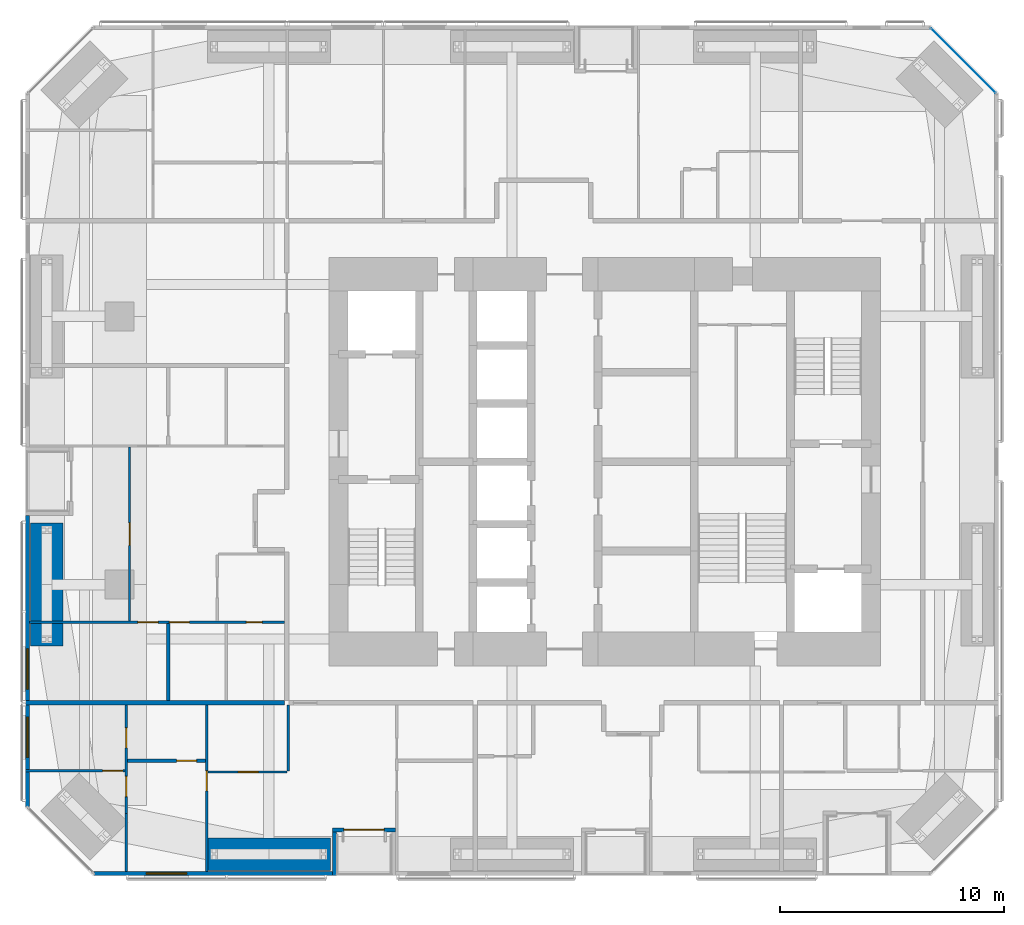
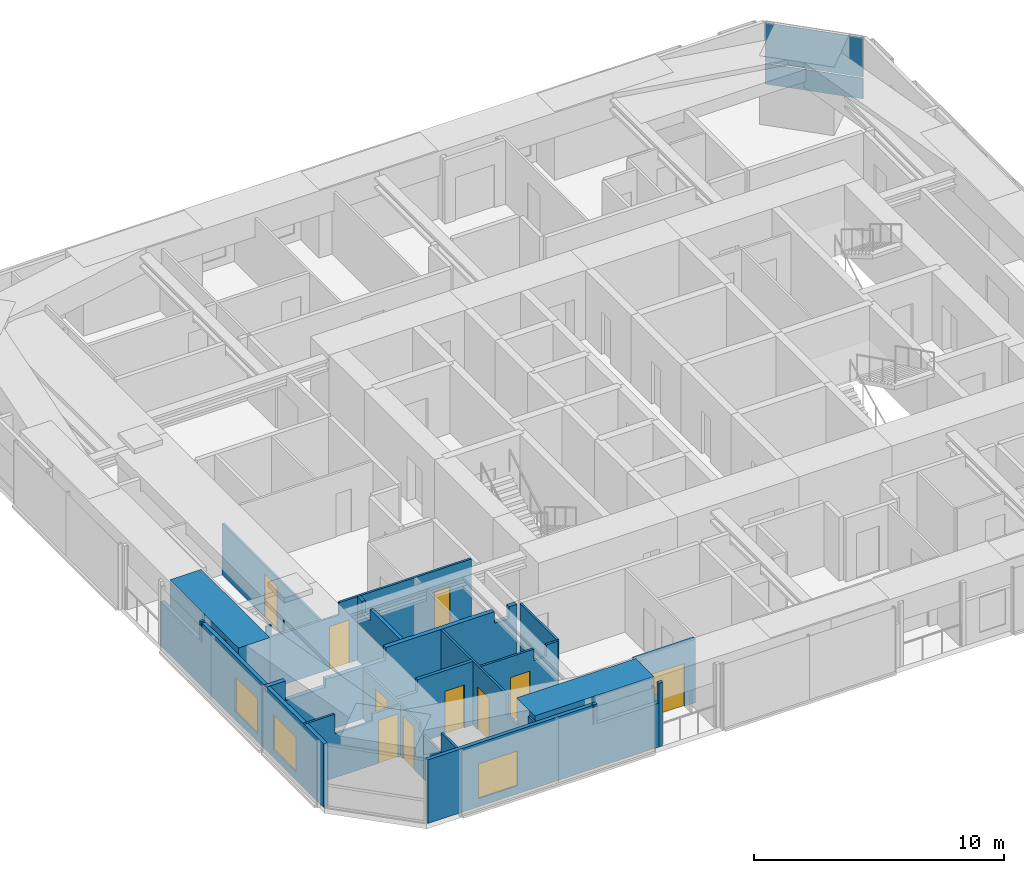
# One storey, part 16 of 23: 17 walls, 11 doors, 3 windows, 2 plates, 14 openings, 1 element without a shape of its own.
"""IFC4 building model written with IfcOpenShell, lengths in metres."""

from ifc_helpers import new_model, si_unit, direction, frame, frame_2d, origin, origin_2d, place, context, subcontext, project, spatial, polyline, rectangle, outline, extrude, material, layer, layer_set, constituent, constituent_set, type_object, element, fill, aggregate, save


model = new_model("IFC4")

# Units and contexts
model_context = context("Model", 3, precision=1e-05, world=origin(), true_north=direction((0.0, 1.0)))
body_context = subcontext(model_context, "Body", "Model", "MODEL_VIEW")
ifc_project = project(units=[si_unit("LENGTHUNIT", "METRE"), si_unit("AREAUNIT", "SQUARE_METRE"), si_unit("VOLUMEUNIT", "CUBIC_METRE"), si_unit("PLANEANGLEUNIT", "RADIAN"), si_unit("MASSUNIT", "GRAM", prefix="KILO")], contexts=[model_context])

# Site, building, storey
site_placement = place(None, origin())
site = spatial("IfcSite", under=ifc_project, at=site_placement, CompositionType="ELEMENT")
building_placement = place(site_placement, origin())
building = spatial("IfcBuilding", under=site, at=building_placement, Name="Jalousie Tower", CompositionType="ELEMENT")
storey_placement = place(building_placement, frame((0.0, 0.0, 108.199951171875)))
storey = spatial("IfcBuildingStorey", under=building, at=storey_placement, Name="L29", CompositionType="ELEMENT", Elevation=108.199951171875)

# Curtain wall, plates
ifc_material_1 = material(Name="Aluminium curtain wall", Category="aluminium")
curtain_wall_type = type_object("IfcCurtainWallType", Name="CORNER WINDOW WALL", PredefinedType="USERDEFINED", material=ifc_material_1)
curtain_wall_placement = place(storey_placement, origin())
curtain_wall = element("IfcCurtainWall", 1, at=curtain_wall_placement, inside=storey, type_object=curtain_wall_type, Name="Corner Window Wall L29 4", ObjectType="CORNER WINDOW WALL", PredefinedType="USERDEFINED")
ifc_material_2 = material(Name="Laminated impact-rated spandrel glass", Category="glass")
ifc_layer_1 = layer(ifc_material_2, 0.028076171875)
ifc_layer_set_1 = layer_set([ifc_layer_1], Name="Laminated impact-rated spandrel glass")
plate_type = type_object("IfcPlateType", Name="CORNER WINDOW WALL PANEL", PredefinedType="CURTAIN_PANEL", material=ifc_layer_set_1)
plate_1_placement = place(storey_placement, frame((47.9306640625, 36.4306640625, 0.06005859375), z_axis=(0.0, 0.0, 1.0), x_axis=(-0.707106781187, 0.707106781187, 0.0)))
plate_1 = element("IfcPlate", 2, at=plate_1_placement, type_object=plate_type, Name="CW-C panel 1.1", PredefinedType="CURTAIN_PANEL", context=body_context, shape_type="SweptSolid", body=[
    extrude(rectangle(XDim=4.071533203125, YDim=0.028076171875, at=origin_2d()), origin(), (0.0, 0.0, 1.0), 1.010009765625),
])
plate_2_placement = place(storey_placement, frame((47.9306640625, 36.4306640625, 1.130126953125), z_axis=(0.0, 0.0, 1.0), x_axis=(-0.707106781187, 0.707106781187, 0.0)))
plate_2 = element("IfcPlate", 3, at=plate_2_placement, type_object=plate_type, Name="CW-C panel 1.2", PredefinedType="CURTAIN_PANEL", context=body_context, shape_type="SweptSolid", body=[
    extrude(rectangle(XDim=4.071533203125, YDim=0.028076171875, at=origin_2d()), origin(), (0.0, 0.0, 1.0), 1.919921875),
])
aggregate(curtain_wall, [plate_1, plate_2])

# Wall, opening, door
ifc_material_3 = material(Name="Concrete block ASTM C90", Category="concrete")
ifc_constituent_1 = constituent(ifc_material_3, Name="Body")
ifc_material_4 = material(Name="Render")
ifc_constituent_2 = constituent(ifc_material_4, Name="Finish")
ifc_constituent_set_1 = constituent_set(constituents=[ifc_constituent_1, ifc_constituent_2])
wall_type_1 = type_object("IfcWallType", Name="BATHROOM WALL 150", PredefinedType="PLUMBINGWALL", material=ifc_constituent_set_1)
wall_1_placement = place(storey_placement, frame((10.550048828125, 5.125, 0.0), z_axis=(0.0, 0.0, 1.0), x_axis=(1.0, 0.0, 0.0)))
wall_1 = element("IfcWall", 4, at=wall_1_placement, inside=storey, type_object=wall_type_1, Name="Bathroom Wall 150 L29", PredefinedType="PLUMBINGWALL", context=body_context, shape_type="SweptSolid", body=[
    extrude(outline(polyline([(0.0, 0.0), (3.5, 0.0), (3.5, 3.110107421875), (0.93505859375, 3.110107421875), (0.93505859375, 2.510009765625), (0.0, 2.510009765625), (0.0, 3.110107421875), (0.0, 0.0)])), frame((0.0, 0.074951171875, 0.0), z_axis=(0.0, -1.0, 0.0), x_axis=(1.0, 0.0, 0.0)), (0.0, 0.0, 1.0), 0.14990234375),
])
opening_1_placement = place(wall_1_placement, frame((2.199951171875, 0.0, 0.0)))
opening_1 = element("IfcOpeningElement", 5, at=opening_1_placement, cuts=wall_1, Name="Opening D3", PredefinedType="OPENING", context=body_context, shape_type="SweptSolid", body=[
    extrude(rectangle(XDim=0.89990234375, YDim=2.10009765625, at=frame_2d((0.449951171875, 1.050048828125))), frame((0.0, 0.0849609375, 0.0), z_axis=(0.0, -1.0, 0.0), x_axis=(1.0, 0.0, 0.0)), (0.0, 0.0, 1.0), 0.169921875),
])
ifc_material_5 = material(Name="Timber door", Category="wood")
door_type_1 = type_object("IfcDoorType", Name="BATHROOM DOOR 900", OperationType="SINGLE_SWING_LEFT", PredefinedType="DOOR", material=ifc_material_5)
door_1_placement = place(opening_1_placement, origin())
door_1 = element("IfcDoor", 6, at=door_1_placement, inside=storey, type_object=door_type_1, Name="Apartment 2901 bedroom 2 bathroom door", OperationType="SINGLE_SWING_RIGHT", OverallHeight=2.10009765625, OverallWidth=0.89990234375, PredefinedType="DOOR", context=body_context, shape_type="SweptSolid", body=[
    extrude(rectangle(XDim=0.89990234375, YDim=2.10009765625, at=frame_2d((0.449951171875, 1.050048828125))), frame((0.0, 0.02490234375, 0.0), z_axis=(0.0, -1.0, 0.0), x_axis=(1.0, 0.0, 0.0)), (0.0, 0.0, 1.0), 0.050048828125),
])
fill(opening_1, door_1)

# Wall
wall_2_placement = place(storey_placement, frame((12.375, 7.824951171875, 0.0), z_axis=(0.0, 0.0, 1.0), x_axis=(0.0, 1.0, 0.0)))
element("IfcWall", 7, at=wall_2_placement, inside=storey, type_object=wall_type_1, Name="Bathroom Wall 150 L29", PredefinedType="PLUMBINGWALL", context=body_context, shape_type="SweptSolid", body=[
    extrude(outline(polyline([(0.0, 0.0), (3.449951171875, 0.0), (3.449951171875, 3.110107421875), (3.0625, 3.110107421875), (3.0625, 2.541015625), (2.4375, 2.541015625), (2.4375, 3.110107421875), (0.0, 3.110107421875), (0.0, 0.0)])), frame((0.0, 0.074951171875, 0.0), z_axis=(0.0, -1.0, 0.0), x_axis=(1.0, 0.0, 0.0)), (0.0, 0.0, 1.0), 0.14990234375),
])

# Wall, opening, window
ifc_material_6 = material(Name="Concrete f'c 40 MPa", Category="concrete")
ifc_constituent_3 = constituent(ifc_material_6, Name="Body")
ifc_material_7 = material(Name="Render, pastel sea green")
ifc_constituent_4 = constituent(ifc_material_7, Name="Finish")
ifc_constituent_set_2 = constituent_set(constituents=[ifc_constituent_3, ifc_constituent_4])
wall_type_2 = type_object("IfcWallType", Name="EXTERNAL WALL 175 SEA GREEN RENDER", PredefinedType="SOLIDWALL", material=ifc_constituent_set_2)
wall_3_placement = place(storey_placement, frame((9.05126953125, 0.08740234375, 0.0), z_axis=(0.0, 0.0, 1.0), x_axis=(1.0, 0.0, 0.0)))
wall_3 = element("IfcWall", 8, at=wall_3_placement, inside=storey, type_object=wall_type_2, Name="External Wall 175 Sea Green Render L29", PredefinedType="SOLIDWALL", context=body_context, shape_type="SweptSolid", body=[
    extrude(outline(polyline([(0.0, 0.0), (10.673828125, 0.0), (10.673583984375, 2.150146484375), (7.82373046875, 2.150146484375), (7.82373046875, 3.110107421875), (7.66552734375, 3.110107421875), (7.66552734375, 2.150146484375), (7.620361328125, 2.150146484375), (7.620361328125, 3.110107421875), (0.0, 3.110107421875), (0.0, 0.0)])), frame((0.0, 0.08740234375, 0.0), z_axis=(0.0, -1.0, 0.0), x_axis=(1.0, 0.0, 0.0)), (0.0, 0.0, 1.0), 0.175048828125),
])
opening_2_placement = place(wall_3_placement, frame((2.3486328125, 0.0, 0.39990234375)))
opening_2 = element("IfcOpeningElement", 9, at=opening_2_placement, cuts=wall_3, Name="Opening W-BED170", PredefinedType="OPENING", context=body_context, shape_type="SweptSolid", body=[
    extrude(rectangle(XDim=1.800048828125, YDim=1.699951171875, at=frame_2d((0.89990234375, 0.85009765625))), frame((0.0, 0.097412109375, 0.0), z_axis=(0.0, -1.0, 0.0), x_axis=(1.0, 0.0, 0.0)), (0.0, 0.0, 1.0), 0.195068359375),
])
ifc_material_8 = material(Name="Aluminium frame, impact-rated glazing", Category="aluminium")
window_type = type_object("IfcWindowType", Name="WINDOW BED 1800x1700", PartitioningType="SINGLE_PANEL", PredefinedType="WINDOW", material=ifc_material_8)
window_1_placement = place(opening_2_placement, origin())
window_1 = element("IfcWindow", 10, at=window_1_placement, inside=storey, type_object=window_type, Name="Apartment 2901 bedroom 2 window", OverallHeight=1.699951171875, OverallWidth=1.800048828125, PartitioningType="SINGLE_PANEL", PredefinedType="WINDOW", context=body_context, shape_type="SweptSolid", body=[
    extrude(rectangle(XDim=1.800048828125, YDim=1.699951171875, at=frame_2d((0.89990234375, 0.85009765625))), frame((0.0, 0.030029296875, 0.0), z_axis=(0.0, -1.0, 0.0), x_axis=(1.0, 0.0, 0.0)), (0.0, 0.0, 1.0), 0.06005859375),
])
fill(opening_2, window_1)

# Wall, opening, door
wall_4_placement = place(storey_placement, frame((19.72509765625, 2.03759765625, 0.0), z_axis=(0.0, 0.0, 1.0), x_axis=(1.0, 0.0, 0.0)))
wall_4 = element("IfcWall", 11, at=wall_4_placement, inside=storey, type_object=wall_type_2, Name="External Wall 175 Sea Green Render L29", PredefinedType="SOLIDWALL", context=body_context, shape_type="SweptSolid", body=[
    extrude(rectangle(XDim=2.824951171875, YDim=0.175048828125, at=frame_2d((1.41259765625, 0.0))), origin(), (0.0, 0.0, 1.0), 3.110107421875),
])
opening_3_placement = place(wall_4_placement, frame((0.512451171875, 0.0, 0.0)))
opening_3 = element("IfcOpeningElement", 12, at=opening_3_placement, cuts=wall_4, Name="Opening D-BAL21", PredefinedType="OPENING", context=body_context, shape_type="SweptSolid", body=[
    extrude(rectangle(XDim=1.800048828125, YDim=2.10009765625, at=frame_2d((0.89990234375, 1.050048828125))), frame((0.0, 0.097412109375, 0.0), z_axis=(0.0, -1.0, 0.0), x_axis=(1.0, 0.0, 0.0)), (0.0, 0.0, 1.0), 0.195068359375),
])
ifc_material_9 = material(Name="Aluminium frame, impact-rated glazing", Category="aluminium")
door_type_2 = type_object("IfcDoorType", Name="BALCONY DOOR 1800x2100", OperationType="SLIDING_TO_LEFT", PredefinedType="DOOR", material=ifc_material_9)
door_2_placement = place(opening_3_placement, origin())
door_2 = element("IfcDoor", 13, at=door_2_placement, inside=storey, type_object=door_type_2, Name="Apartment 2901 living and dining room loggia door", OperationType="SLIDING_TO_LEFT", OverallHeight=2.10009765625, OverallWidth=1.800048828125, PredefinedType="DOOR", context=body_context, shape_type="SweptSolid", body=[
    extrude(rectangle(XDim=1.800048828125, YDim=2.10009765625, at=frame_2d((0.89990234375, 1.050048828125))), frame((0.0, 0.02490234375, 0.0), z_axis=(0.0, -1.0, 0.0), x_axis=(1.0, 0.0, 0.0)), (0.0, 0.0, 1.0), 0.050048828125),
])
fill(opening_3, door_2)

# Wall
wall_5_placement = place(storey_placement, frame((19.8125, 0.0, 0.0), z_axis=(0.0, 0.0, 1.0), x_axis=(0.0, 1.0, 0.0)))
element("IfcWall", 14, at=wall_5_placement, inside=storey, type_object=wall_type_2, Name="External Wall 175 Sea Green Render L29", PredefinedType="SOLIDWALL", context=body_context, shape_type="SweptSolid", body=[
    extrude(outline(polyline([(0.0, 0.0), (1.949951171875, 0.0), (1.949951171875, 3.110107421875), (1.75, 3.110107421875), (1.75, 2.150146484375), (0.14990234375, 2.150146484375), (0.14990234375, 3.110107421875), (0.0, 3.110107421875), (0.0, 0.0)])), frame((0.0, 0.08740234375, 0.0), z_axis=(0.0, -1.0, 0.0), x_axis=(1.0, 0.0, 0.0)), (0.0, 0.0, 1.0), 0.175048828125),
])

# Wall, openings, windows
wall_6_placement = place(storey_placement, frame((6.08740234375, 16.10009765625, 0.0), z_axis=(0.0, 0.0, 1.0), x_axis=(0.0, -1.0, 0.0)))
wall_6 = element("IfcWall", 15, at=wall_6_placement, inside=storey, type_object=wall_type_2, Name="External Wall 175 Sea Green Render L29", PredefinedType="SOLIDWALL", context=body_context, shape_type="SweptSolid", body=[
    extrude(outline(polyline([(0.0, 0.0), (13.048828125, 0.0), (13.048583984375, 3.110107421875), (3.318603515625, 3.110107421875), (3.318603515625, 2.150146484375), (3.2255859375, 2.150146484375), (3.2255859375, 3.110107421875), (3.10009765625, 3.110107421875), (3.10009765625, 2.150146484375), (0.0, 2.150146484375), (0.0, 0.0)])), frame((0.0, 0.08740234375, 0.0), z_axis=(0.0, -1.0, 0.0), x_axis=(1.0, 0.0, 0.0)), (0.0, 0.0, 1.0), 0.175048828125),
])
opening_4_placement = place(wall_6_placement, frame((5.97509765625, 0.0, 0.39990234375)))
opening_4 = element("IfcOpeningElement", 16, at=opening_4_placement, cuts=wall_6, Name="Opening W-BED170", PredefinedType="OPENING", context=body_context, shape_type="SweptSolid", body=[
    extrude(rectangle(XDim=1.800048828125, YDim=1.699951171875, at=frame_2d((0.89990234375, 0.85009765625))), frame((0.0, 0.097412109375, 0.0), z_axis=(0.0, -1.0, 0.0), x_axis=(1.0, 0.0, 0.0)), (0.0, 0.0, 1.0), 0.195068359375),
])
opening_5_placement = place(wall_6_placement, frame((9.024658203125, 0.0, 0.39990234375)))
opening_5 = element("IfcOpeningElement", 17, at=opening_5_placement, cuts=wall_6, Name="Opening W-BED170", PredefinedType="OPENING", context=body_context, shape_type="SweptSolid", body=[
    extrude(rectangle(XDim=1.800048828125, YDim=1.699951171875, at=frame_2d((0.89990234375, 0.85009765625))), frame((0.0, 0.097412109375, 0.0), z_axis=(0.0, -1.0, 0.0), x_axis=(1.0, 0.0, 0.0)), (0.0, 0.0, 1.0), 0.195068359375),
])
window_2_placement = place(opening_4_placement, origin())
window_2 = element("IfcWindow", 18, at=window_2_placement, inside=storey, type_object=window_type, Name="Apartment 2905 bedroom 1 window", OverallHeight=1.699951171875, OverallWidth=1.800048828125, PartitioningType="SINGLE_PANEL", PredefinedType="WINDOW", context=body_context, shape_type="SweptSolid", body=[
    extrude(rectangle(XDim=1.800048828125, YDim=1.699951171875, at=frame_2d((0.89990234375, 0.85009765625))), frame((0.0, 0.030029296875, 0.0), z_axis=(0.0, -1.0, 0.0), x_axis=(1.0, 0.0, 0.0)), (0.0, 0.0, 1.0), 0.06005859375),
])
fill(opening_4, window_2)
window_3_placement = place(opening_5_placement, origin())
window_3 = element("IfcWindow", 19, at=window_3_placement, inside=storey, type_object=window_type, Name="Apartment 2901 bedroom 1 window", OverallHeight=1.699951171875, OverallWidth=1.800048828125, PartitioningType="SINGLE_PANEL", PredefinedType="WINDOW", context=body_context, shape_type="SweptSolid", body=[
    extrude(rectangle(XDim=1.800048828125, YDim=1.699951171875, at=frame_2d((0.89990234375, 0.85009765625))), frame((0.0, 0.030029296875, 0.0), z_axis=(0.0, -1.0, 0.0), x_axis=(1.0, 0.0, 0.0)), (0.0, 0.0, 1.0), 0.06005859375),
])
fill(opening_5, window_3)

# Wall
ifc_material_10 = material(Name="Gypsum board", Category="gypsum")
ifc_constituent_5 = constituent(ifc_material_10, Name="Body")
ifc_material_11 = material(Name="Light-gauge steel studs ASTM A653 SS Grade 33", Category="steel")
ifc_constituent_6 = constituent(ifc_material_11, Name="Framing")
ifc_constituent_set_3 = constituent_set(constituents=[ifc_constituent_5, ifc_constituent_6])
wall_type_3 = type_object("IfcWallType", Name="PARTITION 100", PredefinedType="PARTITIONING", material=ifc_constituent_set_3)
wall_7_placement = place(storey_placement, frame((10.5, 0.175048828125, 0.0), z_axis=(0.0, 0.0, 1.0), x_axis=(0.0, 1.0, 0.0)))
element("IfcWall", 20, at=wall_7_placement, inside=storey, type_object=wall_type_3, Name="Partition 100 L29-A", PredefinedType="PARTITIONING", context=body_context, shape_type="SweptSolid", body=[
    extrude(outline(polyline([(0.0, 0.0), (2.5849609375, 0.0), (2.5849609375, 2.150146484375), (1.197509765625, 2.150146484375), (1.197509765625, 3.110107421875), (0.0, 3.110107421875), (0.0, 0.0)])), frame((0.0, 0.050048828125, 0.0), z_axis=(0.0, -1.0, 0.0), x_axis=(1.0, 0.0, 0.0)), (0.0, 0.0, 1.0), 0.10009765625),
])

# Wall, openings, doors
wall_8_placement = place(storey_placement, frame((10.5, 2.760009765625, 0.0), z_axis=(0.0, 0.0, 1.0), x_axis=(0.0, 1.0, 0.0)))
wall_8 = element("IfcWall", 21, at=wall_8_placement, inside=storey, type_object=wall_type_3, Name="Partition 100 L29-B", PredefinedType="PARTITIONING", context=body_context, shape_type="SweptSolid", body=[
    extrude(outline(polyline([(0.0, 0.0), (4.864990234375, 0.0), (4.864990234375, 2.510009765625), (0.3681640625, 2.510009765625), (0.3681640625, 2.150146484375), (0.0, 2.150146484375), (0.0, 0.0)])), frame((0.0, 0.050048828125, 0.0), z_axis=(0.0, -1.0, 0.0), x_axis=(1.0, 0.0, 0.0)), (0.0, 0.0, 1.0), 0.10009765625),
])
opening_6_placement = place(wall_8_placement, frame((0.76611328125, 0.0, 0.0)))
opening_6 = element("IfcOpeningElement", 22, at=opening_6_placement, cuts=wall_8, Name="Opening D2", PredefinedType="OPENING", context=body_context, shape_type="SweptSolid", body=[
    extrude(rectangle(XDim=0.89990234375, YDim=2.10009765625, at=frame_2d((0.449951171875, 1.050048828125))), frame((0.0, 0.06005859375, 0.0), z_axis=(0.0, -1.0, 0.0), x_axis=(1.0, 0.0, 0.0)), (0.0, 0.0, 1.0), 0.1201171875),
])
opening_7_placement = place(wall_8_placement, frame((2.940673828125, 0.0, 0.0)))
opening_7 = element("IfcOpeningElement", 23, at=opening_7_placement, cuts=wall_8, Name="Opening D3", PredefinedType="OPENING", context=body_context, shape_type="SweptSolid", body=[
    extrude(rectangle(XDim=0.89990234375, YDim=2.10009765625, at=frame_2d((0.449951171875, 1.050048828125))), frame((0.0, 0.06005859375, 0.0), z_axis=(0.0, -1.0, 0.0), x_axis=(1.0, 0.0, 0.0)), (0.0, 0.0, 1.0), 0.1201171875),
])
door_3_placement = place(opening_7_placement, frame((0.89990234375, 0.0, 0.0), z_axis=(0.0, 0.0, 1.0), x_axis=(-1.0, 0.0, 0.0)))
door_3 = element("IfcDoor", 24, at=door_3_placement, inside=storey, type_object=door_type_1, Name="Apartment 2901 bedroom 1 bathroom door", OperationType="SINGLE_SWING_RIGHT", OverallHeight=2.10009765625, OverallWidth=0.89990234375, PredefinedType="DOOR", context=body_context, shape_type="SweptSolid", body=[
    extrude(rectangle(XDim=0.89990234375, YDim=2.10009765625, at=frame_2d((0.449951171875, 1.050048828125))), frame((0.0, 0.02490234375, 0.0), z_axis=(0.0, -1.0, 0.0), x_axis=(1.0, 0.0, 0.0)), (0.0, 0.0, 1.0), 0.050048828125),
])
fill(opening_7, door_3)
ifc_material_12 = material(Name="Timber door", Category="wood")
door_type_3 = type_object("IfcDoorType", Name="BEDROOM DOOR 900", OperationType="SINGLE_SWING_LEFT", PredefinedType="DOOR", material=ifc_material_12)
door_4_placement = place(opening_6_placement, frame((0.89990234375, 0.0, 0.0), z_axis=(0.0, 0.0, 1.0), x_axis=(-1.0, 0.0, 0.0)))
door_4 = element("IfcDoor", 25, at=door_4_placement, inside=storey, type_object=door_type_3, Name="Apartment 2901 bedroom 1 door", OperationType="SINGLE_SWING_LEFT", OverallHeight=2.10009765625, OverallWidth=0.89990234375, PredefinedType="DOOR", context=body_context, shape_type="SweptSolid", body=[
    extrude(rectangle(XDim=0.89990234375, YDim=2.10009765625, at=frame_2d((0.449951171875, 1.050048828125))), frame((0.0, 0.02490234375, 0.0), z_axis=(0.0, -1.0, 0.0), x_axis=(1.0, 0.0, 0.0)), (0.0, 0.0, 1.0), 0.050048828125),
])
fill(opening_6, door_4)

# Wall, opening, door
wall_9_placement = place(storey_placement, frame((14.10009765625, 0.175048828125, 0.0), z_axis=(0.0, 0.0, 1.0), x_axis=(0.0, 1.0, 0.0)))
wall_9 = element("IfcWall", 26, at=wall_9_placement, inside=storey, type_object=wall_type_3, Name="Partition 100 L29", PredefinedType="PARTITIONING", context=body_context, shape_type="SweptSolid", body=[
    extrude(outline(polyline([(0.0, 0.0), (7.449951171875, 0.0), (7.449951171875, 3.110107421875), (2.21875, 3.110107421875), (2.21875, 2.150146484375), (0.46337890625, 2.150146484375), (0.46337890625, 3.110107421875), (0.0, 3.110107421875), (0.0, 0.0)])), frame((0.0, 0.050048828125, 0.0), z_axis=(0.0, -1.0, 0.0), x_axis=(1.0, 0.0, 0.0)), (0.0, 0.0, 1.0), 0.10009765625),
])
opening_8_placement = place(wall_9_placement, frame((3.60009765625, 0.0, 0.0)))
opening_8 = element("IfcOpeningElement", 27, at=opening_8_placement, cuts=wall_9, Name="Opening D2", PredefinedType="OPENING", context=body_context, shape_type="SweptSolid", body=[
    extrude(rectangle(XDim=0.89990234375, YDim=2.10009765625, at=frame_2d((0.449951171875, 1.050048828125))), frame((0.0, 0.06005859375, 0.0), z_axis=(0.0, -1.0, 0.0), x_axis=(1.0, 0.0, 0.0)), (0.0, 0.0, 1.0), 0.1201171875),
])
door_5_placement = place(opening_8_placement, origin())
door_5 = element("IfcDoor", 28, at=door_5_placement, inside=storey, type_object=door_type_3, Name="Apartment 2901 bedroom 2 door", OperationType="SINGLE_SWING_RIGHT", OverallHeight=2.10009765625, OverallWidth=0.89990234375, PredefinedType="DOOR", context=body_context, shape_type="SweptSolid", body=[
    extrude(rectangle(XDim=0.89990234375, YDim=2.10009765625, at=frame_2d((0.449951171875, 1.050048828125))), frame((0.0, 0.02490234375, 0.0), z_axis=(0.0, -1.0, 0.0), x_axis=(1.0, 0.0, 0.0)), (0.0, 0.0, 1.0), 0.050048828125),
])
fill(opening_8, door_5)

wall_10_placement = place(storey_placement, frame((6.0, 4.67578125, 0.0), z_axis=(0.0, 0.0, 1.0), x_axis=(1.0, 0.0, 0.0)))
wall_10 = element("IfcWall", 29, at=wall_10_placement, inside=storey, type_object=wall_type_3, Name="Partition 100 L29", PredefinedType="PARTITIONING", context=body_context, shape_type="SweptSolid", body=[
    extrude(outline(polyline([(0.0, 0.0), (4.449951171875, 0.0), (4.449951171875, 3.110107421875), (4.449951171875, 2.510009765625), (3.171142578125, 2.510009765625), (3.171142578125, 2.150146484375), (1.4287109375, 2.150146484375), (1.4287109375, 3.110107421875), (0.0, 3.110107421875), (0.0, 0.0)])), frame((0.0, 0.050048828125, 0.0), z_axis=(0.0, -1.0, 0.0), x_axis=(1.0, 0.0, 0.0)), (0.0, 0.0, 1.0), 0.10009765625),
])
opening_9_placement = place(wall_10_placement, frame((3.449951171875, 0.0, 0.0)))
opening_9 = element("IfcOpeningElement", 30, at=opening_9_placement, cuts=wall_10, Name="Opening D7", PredefinedType="OPENING", context=body_context, shape_type="SweptSolid", body=[
    extrude(rectangle(XDim=0.89990234375, YDim=2.10009765625, at=frame_2d((0.449951171875, 1.050048828125))), frame((0.0, 0.06005859375, 0.0), z_axis=(0.0, -1.0, 0.0), x_axis=(1.0, 0.0, 0.0)), (0.0, 0.0, 1.0), 0.1201171875),
])
ifc_material_13 = material(Name="Timber door", Category="wood")
door_type_4 = type_object("IfcDoorType", Name="INTERNAL DOOR 900", OperationType="SINGLE_SWING_LEFT", PredefinedType="DOOR", material=ifc_material_13)
door_6_placement = place(opening_9_placement, origin())
door_6 = element("IfcDoor", 31, at=door_6_placement, inside=storey, type_object=door_type_4, Name="Apartment 2901 bedroom 1 dressing hall door", OperationType="SINGLE_SWING_RIGHT", OverallHeight=2.10009765625, OverallWidth=0.89990234375, PredefinedType="DOOR", context=body_context, shape_type="SweptSolid", body=[
    extrude(rectangle(XDim=0.89990234375, YDim=2.10009765625, at=frame_2d((0.449951171875, 1.050048828125))), frame((0.0, 0.02490234375, 0.0), z_axis=(0.0, -1.0, 0.0), x_axis=(1.0, 0.0, 0.0)), (0.0, 0.0, 1.0), 0.050048828125),
])
fill(opening_9, door_6)

wall_11_placement = place(storey_placement, frame((14.14990234375, 4.625, 0.0), z_axis=(0.0, 0.0, 1.0), x_axis=(1.0, 0.0, 0.0)))
wall_11 = element("IfcWall", 32, at=wall_11_placement, inside=storey, type_object=wall_type_3, Name="Partition 100 L29", PredefinedType="PARTITIONING", context=body_context, shape_type="SweptSolid", body=[
    extrude(outline(polyline([(0.0, 0.0), (3.550048828125, 0.0), (3.550048828125, 3.110107421875), (3.01220703125, 3.110107421875), (3.01220703125, 2.541015625), (2.4375, 2.541015625), (2.4375, 3.110107421875), (0.0, 3.110107421875), (0.0, 0.0)])), frame((0.0, 0.050048828125, 0.0), z_axis=(0.0, -1.0, 0.0), x_axis=(1.0, 0.0, 0.0)), (0.0, 0.0, 1.0), 0.10009765625),
])
opening_10_placement = place(wall_11_placement, frame((1.35009765625, 0.0, 0.0)))
opening_10 = element("IfcOpeningElement", 33, at=opening_10_placement, cuts=wall_11, Name="Opening D7", PredefinedType="OPENING", context=body_context, shape_type="SweptSolid", body=[
    extrude(rectangle(XDim=0.89990234375, YDim=2.10009765625, at=frame_2d((0.449951171875, 1.050048828125))), frame((0.0, 0.06005859375, 0.0), z_axis=(0.0, -1.0, 0.0), x_axis=(1.0, 0.0, 0.0)), (0.0, 0.0, 1.0), 0.1201171875),
])
door_7_placement = place(opening_10_placement, frame((0.89990234375, 0.0, 0.0), z_axis=(0.0, 0.0, 1.0), x_axis=(-1.0, 0.0, 0.0)))
door_7 = element("IfcDoor", 34, at=door_7_placement, inside=storey, type_object=door_type_4, Name="Apartment 2901 kitchen door", OperationType="SINGLE_SWING_RIGHT", OverallHeight=2.10009765625, OverallWidth=0.89990234375, PredefinedType="DOOR", context=body_context, shape_type="SweptSolid", body=[
    extrude(rectangle(XDim=0.89990234375, YDim=2.10009765625, at=frame_2d((0.449951171875, 1.050048828125))), frame((0.0, 0.02490234375, 0.0), z_axis=(0.0, -1.0, 0.0), x_axis=(1.0, 0.0, 0.0)), (0.0, 0.0, 1.0), 0.050048828125),
])
fill(opening_10, door_7)

# Wall
wall_12_placement = place(storey_placement, frame((17.75, 4.675048828125, 0.0), z_axis=(0.0, 0.0, 1.0), x_axis=(0.0, 1.0, 0.0)))
element("IfcWall", 35, at=wall_12_placement, inside=storey, type_object=wall_type_3, Name="Partition 100 L29", PredefinedType="PARTITIONING", context=body_context, shape_type="SweptSolid", body=[
    extrude(rectangle(XDim=2.949951171875, YDim=0.10009765625, at=frame_2d((1.47509765625, 0.0))), origin(), (0.0, 0.0, 1.0), 3.110107421875),
])

# Wall, openings, doors
wall_13_placement = place(storey_placement, frame((6.175048828125, 11.324951171875, 0.0), z_axis=(0.0, 0.0, 1.0), x_axis=(1.0, 0.0, 0.0)))
wall_13 = element("IfcWall", 36, at=wall_13_placement, inside=storey, type_object=wall_type_3, Name="Partition 100 L29", PredefinedType="PARTITIONING", context=body_context, shape_type="SweptSolid", body=[
    extrude(outline(polyline([(0.17529296875, 3.110107421875), (0.0, 3.110107421875), (0.0, 0.0), (0.52880859375, 0.0), (0.52880859375, 0.324951171875), (1.021240234375, 0.324951171875), (1.021240234375, 0.0), (11.39990234375, 0.0), (11.39990234375, 3.110107421875), (5.284912109375, 3.110107421875), (5.284912109375, 2.510009765625), (2.764892578125, 2.510009765625), (2.764892578125, 3.110107421875), (2.74365234375, 3.110107421875), (2.74365234375, 2.541015625), (2.1689453125, 2.541015625), (2.1689453125, 3.110107421875), (1.91796875, 3.110107421875), (1.91796875, 2.150146484375), (1.021240234375, 2.150146484375), (1.021240234375, 1.8251953125), (0.52880859375, 1.8251953125), (0.52880859375, 2.150146484375), (0.17529296875, 2.150146484375), (0.17529296875, 3.110107421875)])), frame((0.0, 0.050048828125, 0.0), z_axis=(0.0, -1.0, 0.0), x_axis=(1.0, 0.0, 0.0)), (0.0, 0.0, 1.0), 0.10009765625),
])
opening_11_placement = place(wall_13_placement, frame((4.85009765625, 0.0, 0.0)))
opening_11 = element("IfcOpeningElement", 37, at=opening_11_placement, cuts=wall_13, Name="Opening D2", PredefinedType="OPENING", context=body_context, shape_type="SweptSolid", body=[
    extrude(rectangle(XDim=0.89990234375, YDim=2.10009765625, at=frame_2d((0.449951171875, 1.050048828125))), frame((0.0, 0.06005859375, 0.0), z_axis=(0.0, -1.0, 0.0), x_axis=(1.0, 0.0, 0.0)), (0.0, 0.0, 1.0), 0.1201171875),
])
opening_12_placement = place(wall_13_placement, frame((6.25, 0.0, 0.0)))
opening_12 = element("IfcOpeningElement", 38, at=opening_12_placement, cuts=wall_13, Name="Opening D7", PredefinedType="OPENING", context=body_context, shape_type="SweptSolid", body=[
    extrude(rectangle(XDim=0.89990234375, YDim=2.10009765625, at=frame_2d((0.449951171875, 1.050048828125))), frame((0.0, 0.06005859375, 0.0), z_axis=(0.0, -1.0, 0.0), x_axis=(1.0, 0.0, 0.0)), (0.0, 0.0, 1.0), 0.1201171875),
])
opening_13_placement = place(wall_13_placement, frame((9.699951171875, 0.0, 0.0)))
opening_13 = element("IfcOpeningElement", 39, at=opening_13_placement, cuts=wall_13, Name="Opening D4", PredefinedType="OPENING", context=body_context, shape_type="SweptSolid", body=[
    extrude(rectangle(XDim=0.699951171875, YDim=2.10009765625, at=frame_2d((0.35009765625, 1.050048828125))), frame((0.0, 0.06005859375, 0.0), z_axis=(0.0, -1.0, 0.0), x_axis=(1.0, 0.0, 0.0)), (0.0, 0.0, 1.0), 0.1201171875),
])
door_8_placement = place(opening_11_placement, frame((0.89990234375, 0.0, 0.0), z_axis=(0.0, 0.0, 1.0), x_axis=(-1.0, 0.0, 0.0)))
door_8 = element("IfcDoor", 40, at=door_8_placement, inside=storey, type_object=door_type_3, Name="Apartment 2905 bedroom 1 door", OperationType="SINGLE_SWING_LEFT", OverallHeight=2.10009765625, OverallWidth=0.89990234375, PredefinedType="DOOR", context=body_context, shape_type="SweptSolid", body=[
    extrude(rectangle(XDim=0.89990234375, YDim=2.10009765625, at=frame_2d((0.449951171875, 1.050048828125))), frame((0.0, 0.02490234375, 0.0), z_axis=(0.0, -1.0, 0.0), x_axis=(1.0, 0.0, 0.0)), (0.0, 0.0, 1.0), 0.050048828125),
])
fill(opening_11, door_8)
door_9_placement = place(opening_12_placement, frame((0.89990234375, 0.0, 0.0), z_axis=(0.0, 0.0, 1.0), x_axis=(-1.0, 0.0, 0.0)))
door_9 = element("IfcDoor", 41, at=door_9_placement, inside=storey, type_object=door_type_4, Name="Apartment 2905 bathroom door", OperationType="SINGLE_SWING_RIGHT", OverallHeight=2.10009765625, OverallWidth=0.89990234375, PredefinedType="DOOR", context=body_context, shape_type="SweptSolid", body=[
    extrude(rectangle(XDim=0.89990234375, YDim=2.10009765625, at=frame_2d((0.449951171875, 1.050048828125))), frame((0.0, 0.02490234375, 0.0), z_axis=(0.0, -1.0, 0.0), x_axis=(1.0, 0.0, 0.0)), (0.0, 0.0, 1.0), 0.050048828125),
])
fill(opening_12, door_9)
ifc_material_14 = material(Name="Timber door", Category="wood")
door_type_5 = type_object("IfcDoorType", Name="STORE DOOR 700", OperationType="SINGLE_SWING_LEFT", PredefinedType="DOOR", material=ifc_material_14)
door_10_placement = place(opening_13_placement, frame((0.699951171875, 0.0, 0.0), z_axis=(0.0, 0.0, 1.0), x_axis=(-1.0, 0.0, 0.0)))
door_10 = element("IfcDoor", 42, at=door_10_placement, inside=storey, type_object=door_type_5, Name="Apartment 2905 store door", OperationType="SINGLE_SWING_RIGHT", OverallHeight=2.10009765625, OverallWidth=0.699951171875, PredefinedType="DOOR", context=body_context, shape_type="SweptSolid", body=[
    extrude(rectangle(XDim=0.699951171875, YDim=2.10009765625, at=frame_2d((0.35009765625, 1.050048828125))), frame((0.0, 0.02490234375, 0.0), z_axis=(0.0, -1.0, 0.0), x_axis=(1.0, 0.0, 0.0)), (0.0, 0.0, 1.0), 0.050048828125),
])
fill(opening_13, door_10)

# Wall, opening, door
wall_14_placement = place(storey_placement, frame((10.64990234375, 11.375, 0.0), z_axis=(0.0, 0.0, 1.0), x_axis=(0.0, 1.0, 0.0)))
wall_14 = element("IfcWall", 43, at=wall_14_placement, inside=storey, type_object=wall_type_3, Name="Partition 100 L29", PredefinedType="PARTITIONING", context=body_context, shape_type="SweptSolid", body=[
    extrude(outline(polyline([(0.0, 0.0), (7.77490234375, 0.0), (7.77490234375, 3.110107421875), (7.77490234375, 2.510009765625), (1.68505859375, 2.510009765625), (0.0, 2.510009765625), (0.0, 3.110107421875), (0.0, 0.0)])), frame((0.0, 0.050048828125, 0.0), z_axis=(0.0, -1.0, 0.0), x_axis=(1.0, 0.0, 0.0)), (0.0, 0.0, 1.0), 0.10009765625),
])
opening_14_placement = place(wall_14_placement, frame((3.387451171875, 0.0, 0.0)))
opening_14 = element("IfcOpeningElement", 44, at=opening_14_placement, cuts=wall_14, Name="Opening D6", PredefinedType="OPENING", context=body_context, shape_type="SweptSolid", body=[
    extrude(rectangle(XDim=1.0, YDim=2.10009765625, at=frame_2d((0.5, 1.050048828125))), frame((0.0, 0.06005859375, 0.0), z_axis=(0.0, -1.0, 0.0), x_axis=(1.0, 0.0, 0.0)), (0.0, 0.0, 1.0), 0.1201171875),
])
ifc_material_15 = material(Name="Timber door", Category="wood")
door_type_6 = type_object("IfcDoorType", Name="INTERNAL DOOR 1000", OperationType="SINGLE_SWING_LEFT", PredefinedType="DOOR", material=ifc_material_15)
door_11_placement = place(opening_14_placement, origin())
door_11 = element("IfcDoor", 45, at=door_11_placement, inside=storey, type_object=door_type_6, Name="Apartment 2905 hall door", OperationType="SINGLE_SWING_RIGHT", OverallHeight=2.10009765625, OverallWidth=1.0, PredefinedType="DOOR", context=body_context, shape_type="SweptSolid", body=[
    extrude(rectangle(XDim=1.0, YDim=2.10009765625, at=frame_2d((0.5, 1.050048828125))), frame((0.0, 0.02490234375, 0.0), z_axis=(0.0, -1.0, 0.0), x_axis=(1.0, 0.0, 0.0)), (0.0, 0.0, 1.0), 0.050048828125),
])
fill(opening_14, door_11)

# Walls
ifc_material_16 = material(Name="Concrete block ASTM C90", Category="concrete")
ifc_constituent_7 = constituent(ifc_material_16, Name="Body")
ifc_material_17 = material(Name="Render")
ifc_constituent_8 = constituent(ifc_material_17, Name="Finish")
ifc_constituent_set_4 = constituent_set(constituents=[ifc_constituent_7, ifc_constituent_8])
wall_type_4 = type_object("IfcWallType", Name="PARTY WALL 200", PredefinedType="PARTITIONING", material=ifc_constituent_set_4)
wall_15_placement = place(storey_placement, frame((6.0, 7.72509765625, 0.0), z_axis=(0.0, 0.0, 1.0), x_axis=(1.0, 0.0, 0.0)))
element("IfcWall", 46, at=wall_15_placement, inside=storey, type_object=wall_type_4, Name="Party Wall 200 L29", PredefinedType="PARTITIONING", context=body_context, shape_type="SweptSolid", body=[
    extrude(outline(polyline([(0.0, 0.0), (11.574951171875, 0.0), (11.574951171875, 3.110107421875), (11.21240234375, 3.110107421875), (11.21240234375, 2.541015625), (10.53759765625, 2.541015625), (10.53759765625, 3.110107421875), (5.510009765625, 3.110107421875), (5.510009765625, 2.510009765625), (2.96875, 2.510009765625), (2.96875, 2.541015625), (2.727294921875, 2.541015625), (2.727294921875, 2.150146484375), (0.883544921875, 2.150146484375), (0.883544921875, 3.110107421875), (0.0, 3.110107421875), (0.0, 0.0)])), frame((0.0, 0.10009765625, 0.0), z_axis=(0.0, -1.0, 0.0), x_axis=(1.0, 0.0, 0.0)), (0.0, 0.0, 1.0), 0.199951171875),
])
ifc_material_18 = material(Name="Concrete f'c 120 MPa", Category="concrete")
ifc_layer_2 = layer(ifc_material_18, 1.449951171875)
ifc_layer_set_2 = layer_set([ifc_layer_2], Name="Concrete f'c 120 MPa")
wall_type_5 = type_object("IfcWallType", Name="RC WALL PIER 1450", PredefinedType="SHEAR", material=ifc_layer_set_2)
for number, where, z_axis, x_axis, name in (
    (47, (14.125, 0.949951171875, 0.0), (0.0, 0.0, 1.0), (1.0, 0.0, 0.0), "Wall pier 02 L29"),
    (48, (6.949951171875, 10.25, 0.0), (0.0, 0.0, 1.0), (0.0, 1.0, 0.0), "Wall pier 14 L29"),
):
    element("IfcWall", number, at=place(storey_placement, frame(where, z_axis=z_axis, x_axis=x_axis)), inside=storey, type_object=wall_type_5, Name=name, PredefinedType="SHEAR", context=body_context, shape_type="SweptSolid", body=[
        extrude(rectangle(XDim=5.5, YDim=1.449951171875, at=frame_2d((2.75, 0.0))), origin(), (0.0, 0.0, 1.0), 3.35009765625),
    ])

save(model, "model.ifc")
